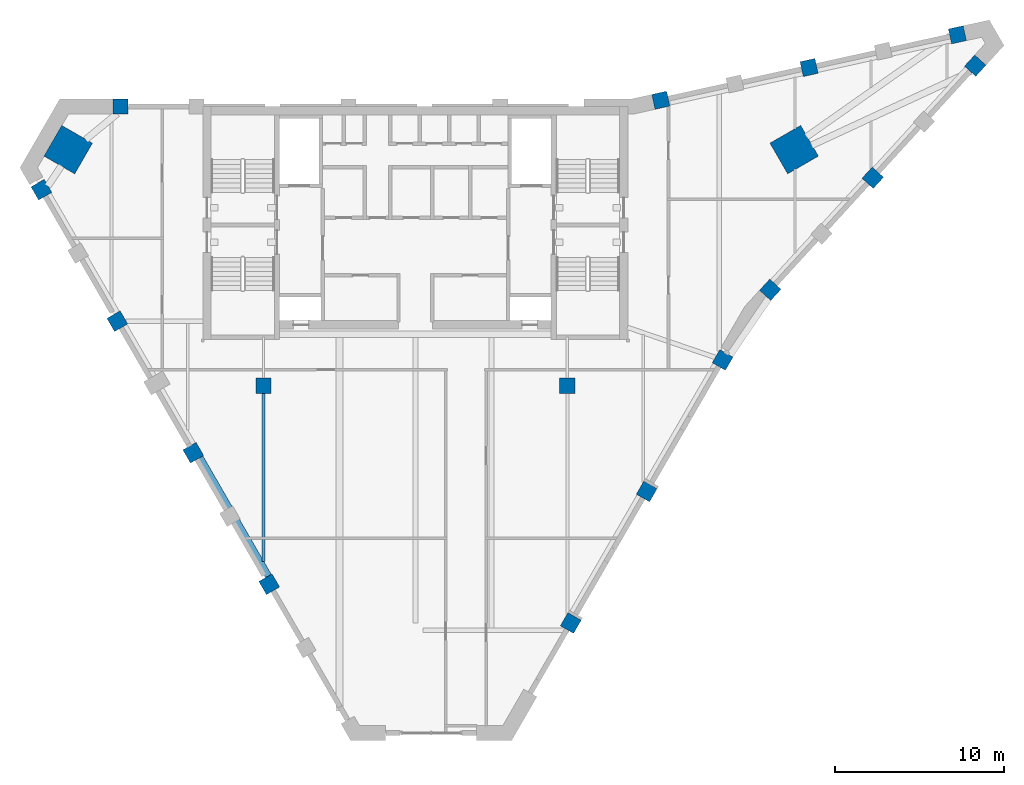
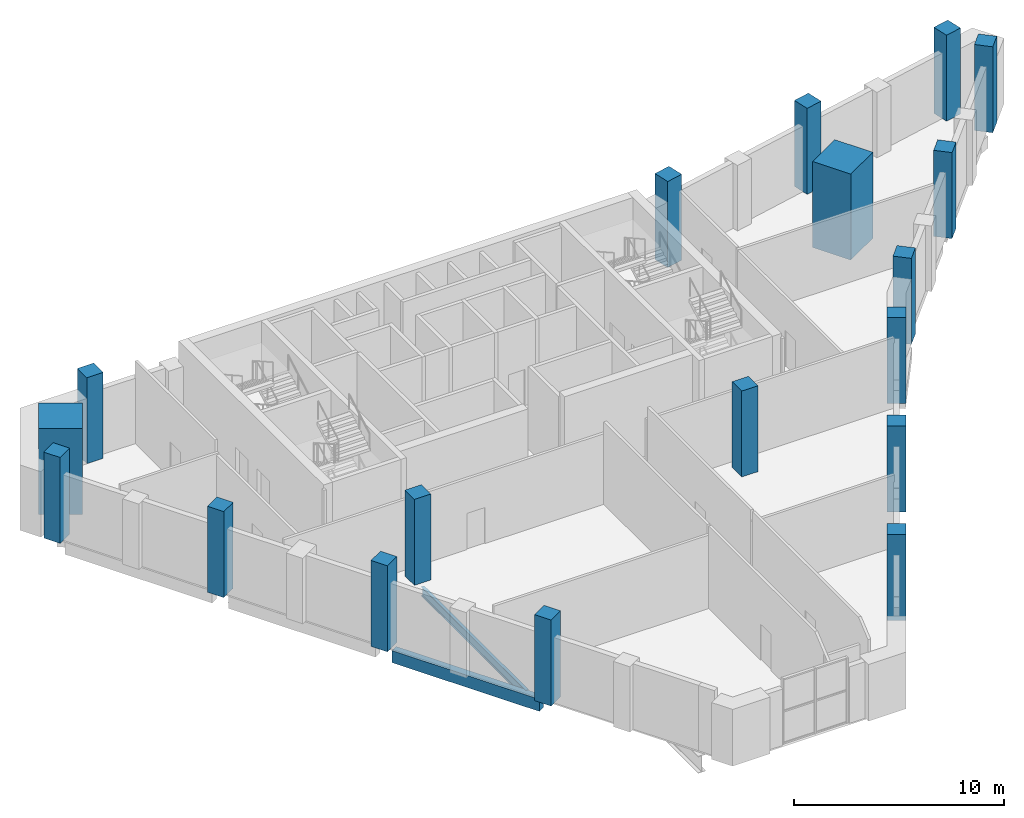
# One storey, part 1 of 9: 18 columns, 2 beams.
"""IFC4 building model written with IfcOpenShell, lengths in metres."""

from ifc_helpers import new_model, si_unit, direction, frame, origin, origin_2d, place, context, subcontext, project, spatial, rectangle, i_section, extrude, material, material_profile, profile_set, type_object, element, save


model = new_model("IFC4")

# Units and contexts
model_context = context("Model", 3, precision=1e-05, world=origin(), true_north=direction((0.0, 1.0)))
body_context = subcontext(model_context, "Body", "Model", "MODEL_VIEW")
ifc_project = project(units=[si_unit("LENGTHUNIT", "METRE"), si_unit("AREAUNIT", "SQUARE_METRE"), si_unit("VOLUMEUNIT", "CUBIC_METRE"), si_unit("PLANEANGLEUNIT", "RADIAN"), si_unit("MASSUNIT", "GRAM", prefix="KILO")], contexts=[model_context])

# Site, building, storey
site_placement = place(None, origin())
site = spatial("IfcSite", under=ifc_project, at=site_placement, CompositionType="ELEMENT")
building_placement = place(site_placement, origin())
building = spatial("IfcBuilding", under=site, at=building_placement, Name="Calabash Gate Tower", CompositionType="ELEMENT")
storey_placement = place(building_placement, frame((0.0, 0.0, 315.5)))
storey = spatial("IfcBuildingStorey", under=building, at=storey_placement, Name="L74", CompositionType="ELEMENT", Elevation=315.5)

# Columns
ifc_material_1 = material(Name="Concrete C60/75", Category="concrete")
ifc_material_profile_1 = material_profile(ifc_material_1, rectangle(XDim=0.89990234375, YDim=0.89990234375, at=origin_2d()))
ifc_profile_set_1 = profile_set([ifc_material_profile_1], Name="Concrete C60/75")
column_type_1 = type_object("IfcColumnType", Name="Interior column RC 900x900 Concrete C60/75", PredefinedType="COLUMN", material=ifc_profile_set_1)
for number, where, z_axis, x_axis, name in (
    (1, (-9.0, 2.5, 0.0), (0.0, 0.0, 1.0), (1.0, 0.0, 0.0), "Interior column L74 I0"),
    (2, (9.0, 2.5, 0.0), (0.0, 0.0, 1.0), (1.0, 0.0, 0.0), "Interior column L74 I1"),
):
    element("IfcColumn", number, at=place(storey_placement, frame(where, z_axis=z_axis, x_axis=x_axis)), inside=storey, type_object=column_type_1, Name=name, PredefinedType="COLUMN", context=body_context, shape_type="SweptSolid", body=[
        extrude(rectangle(XDim=0.89990234375, YDim=0.89990234375, at=origin_2d()), origin(), (0.0, 0.0, 1.0), 5.0),
    ])
ifc_material_2 = material(Name="Concrete C60/75", Category="concrete")
ifc_material_profile_2 = material_profile(ifc_material_2, rectangle(XDim=2.10009765625, YDim=2.10009765625, at=origin_2d()))
ifc_profile_set_2 = profile_set([ifc_material_profile_2], Name="Concrete C60/75")
column_type_2 = type_object("IfcColumnType", Name="Mega column RC 2100x2100 Concrete C60/75", PredefinedType="COLUMN", material=ifc_profile_set_2)
for number, where, z_axis, x_axis, name in (
    (3, (-20.572998046875, 16.491943359375, 0.0), (0.0, 0.0, 1.0), (0.866025395058, -0.500000015115, 0.0), "Mega column L74 NW"),
    (4, (22.447021484375, 16.491943359375, 0.0), (0.0, 0.0, 1.0), (-0.866025395058, -0.500000015115, 0.0), "Mega column L74 NE"),
):
    element("IfcColumn", number, at=place(storey_placement, frame(where, z_axis=z_axis, x_axis=x_axis)), inside=storey, type_object=column_type_2, Name=name, PredefinedType="COLUMN", context=body_context, shape_type="SweptSolid", body=[
        extrude(rectangle(XDim=2.10009765625, YDim=2.10009765625, at=origin_2d()), origin(), (0.0, 0.0, 1.0), 5.0),
    ])
ifc_material_3 = material(Name="Concrete C50/60", Category="concrete")
ifc_material_profile_3 = material_profile(ifc_material_3, rectangle(XDim=0.89990234375, YDim=0.89990234375, at=origin_2d()))
ifc_profile_set_3 = profile_set([ifc_material_profile_3], Name="Concrete C50/60")
column_type_3 = type_object("IfcColumnType", Name="Perimeter column RC 900x900 Concrete C50/60", PredefinedType="COLUMN", material=ifc_profile_set_3)
for number, where, z_axis, x_axis, name in (
    (5, (-22.162109375, 14.1201171875, 0.0), (0.0, 0.0, 1.0), (0.500000015115, -0.866025395058, 0.0), "Perimeter column L74 P20"),
    (6, (-17.662109375, 6.325927734375, 0.0), (0.0, 0.0, 1.0), (0.500000015115, -0.866025395058, 0.0), "Perimeter column L74 P00"),
    (7, (-13.162109375, -1.468017578125, 0.0), (0.0, 0.0, 1.0), (0.500000015115, -0.866025395058, 0.0), "Perimeter column L74 P01"),
    (8, (-8.662109375, -9.262939453125, 0.0), (0.0, 0.0, 1.0), (0.500000015115, -0.866025395058, 0.0), "Perimeter column L74 P02"),
    (9, (9.2080078125, -11.55908203125, 0.0), (0.0, 0.0, 1.0), (0.499999984885, 0.866025412511, 0.0), "Perimeter column L74 P09"),
    (10, (13.7080078125, -3.762939453125, 0.0), (0.0, 0.0, 1.0), (0.499999984885, 0.866025412511, 0.0), "Perimeter column L74 P10"),
    (11, (18.2080078125, 4.030029296875, 0.0), (0.0, 0.0, 1.0), (0.499999984885, 0.866025412511, 0.0), "Perimeter column L74 P11"),
    (12, (21.031005859375, 8.18701171875, 0.0), (0.0, 0.0, 1.0), (0.67485604152, 0.737949404244, 0.0), "Perimeter column L74 P12"),
    (13, (27.10400390625, 14.825927734375, 0.0), (0.0, 0.0, 1.0), (0.67485604152, 0.737949404244, 0.0), "Perimeter column L74 P36"),
    (14, (33.177978515625, 21.468017578125, 0.0), (0.0, 0.0, 1.0), (0.67485604152, 0.737949404244, 0.0), "Perimeter column L74 P37"),
    (15, (32.12109375, 23.298095703125, 0.0), (0.0, 0.0, 1.0), (-0.976510951543, -0.215467773731, 0.0), "Perimeter column L74 P38"),
    (16, (23.3330078125, 21.35888671875, 0.0), (0.0, 0.0, 1.0), (-0.976510951543, -0.215467773731, 0.0), "Perimeter column L74 P39"),
    (17, (14.5439453125, 19.4189453125, 0.0), (0.0, 0.0, 1.0), (-0.976510951543, -0.215467773731, 0.0), "Perimeter column L74 P40"),
    (18, (-17.466064453125, 19.052978515625, 0.0), (0.0, 0.0, 1.0), (-1.0, 0.0, 0.0), "Perimeter column L74 P31"),
):
    element("IfcColumn", number, at=place(storey_placement, frame(where, z_axis=z_axis, x_axis=x_axis)), inside=storey, type_object=column_type_3, Name=name, PredefinedType="COLUMN", context=body_context, shape_type="SweptSolid", body=[
        extrude(rectangle(XDim=0.89990234375, YDim=0.89990234375, at=origin_2d()), origin(), (0.0, 0.0, 1.0), 5.0),
    ])

# Beams
ifc_material_4 = material(Name="Concrete C50/60", Category="concrete")
ifc_material_profile_4 = material_profile(ifc_material_4, rectangle(XDim=0.39990234375, YDim=0.699951171875, at=origin_2d()))
ifc_profile_set_4 = profile_set([ifc_material_profile_4], Name="Concrete C50/60")
beam_type_1 = type_object("IfcBeamType", Name="Edge beam RC 400x700 Concrete C50/60", PredefinedType="BEAM", material=ifc_profile_set_4)
beam_1_placement = place(storey_placement, frame((-12.763916015625, -1.758056640625, -0.550048828125), z_axis=(0.499977274689, -0.866038523851, 0.0), x_axis=(0.866038523851, 0.499977274689, 0.0)))
element("IfcBeam", 19, at=beam_1_placement, inside=storey, type_object=beam_type_1, Name="Edge beam L74 1", PredefinedType="BEAM", context=body_context, shape_type="SweptSolid", body=[
    extrude(rectangle(XDim=0.39990234375, YDim=0.699951171875, at=origin_2d()), origin(), (0.0, 0.0, 1.0), 8.10009765625),
])
ifc_material_5 = material(Name="Steel ASTM A992 Gr50", Category="steel")
ifc_material_profile_5 = material_profile(ifc_material_5, i_section(OverallWidth=0.166015625, OverallDepth=0.5283203125, WebThickness=0.009765625, FlangeThickness=0.013671875, FilletRadius=0.0126953125, at=origin_2d()))
ifc_profile_set_5 = profile_set([ifc_material_profile_5], Name="Steel ASTM A992 Gr50")
beam_type_2 = type_object("IfcBeamType", Name="Floor beam W21x50 ASTM A992 Gr50", PredefinedType="BEAM", material=ifc_profile_set_5)
beam_2_placement = place(storey_placement, frame((-9.0, -7.908935546875, -0.464111328125), z_axis=(0.0, 1.0, 0.0), x_axis=(-1.0, 0.0, 0.0)))
element("IfcBeam", 20, at=beam_2_placement, inside=storey, type_object=beam_type_2, Name="Floor beam L74 3", PredefinedType="BEAM", context=body_context, shape_type="SweptSolid", body=[
    extrude(i_section(OverallWidth=0.166015625, OverallDepth=0.5283203125, WebThickness=0.009765625, FlangeThickness=0.013671875, FilletRadius=0.0126953125, at=origin_2d()), origin(), (0.0, 0.0, 1.0), 9.958984375),
])

save(model, "model.ifc")
